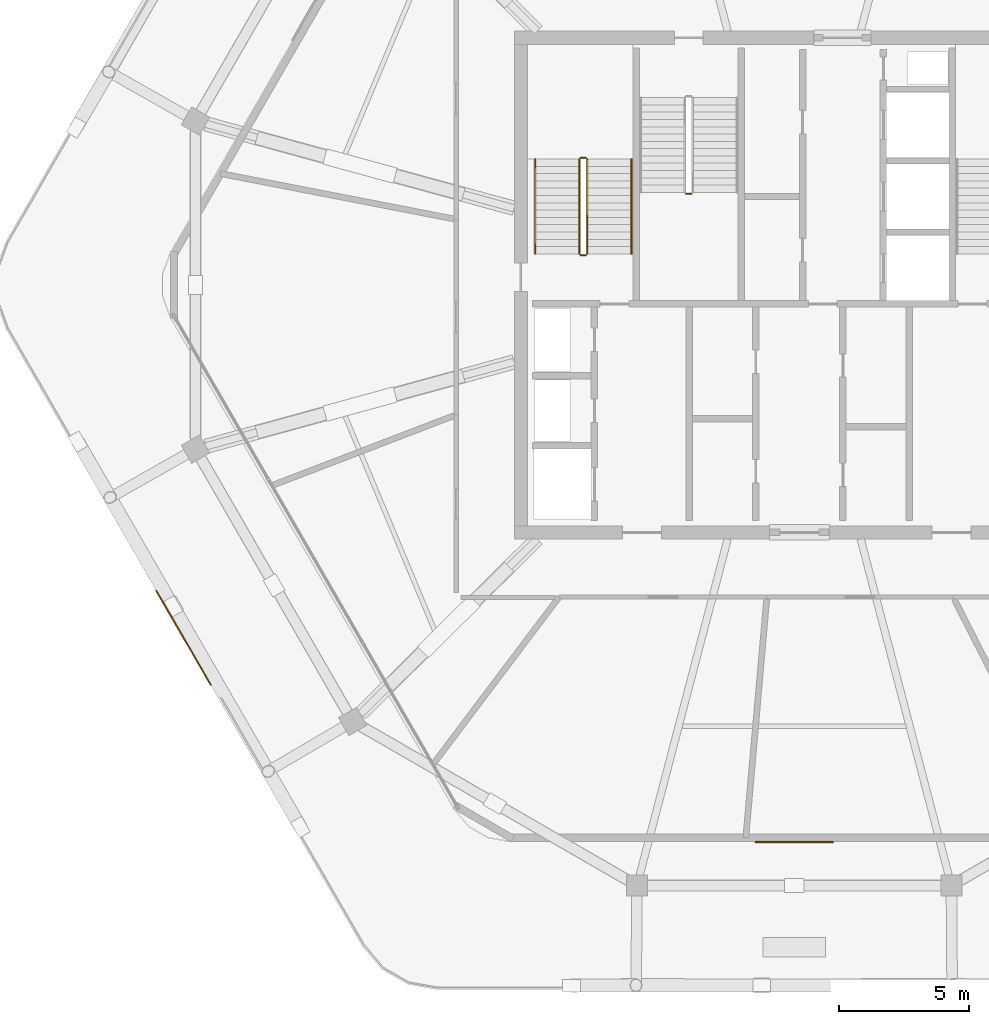
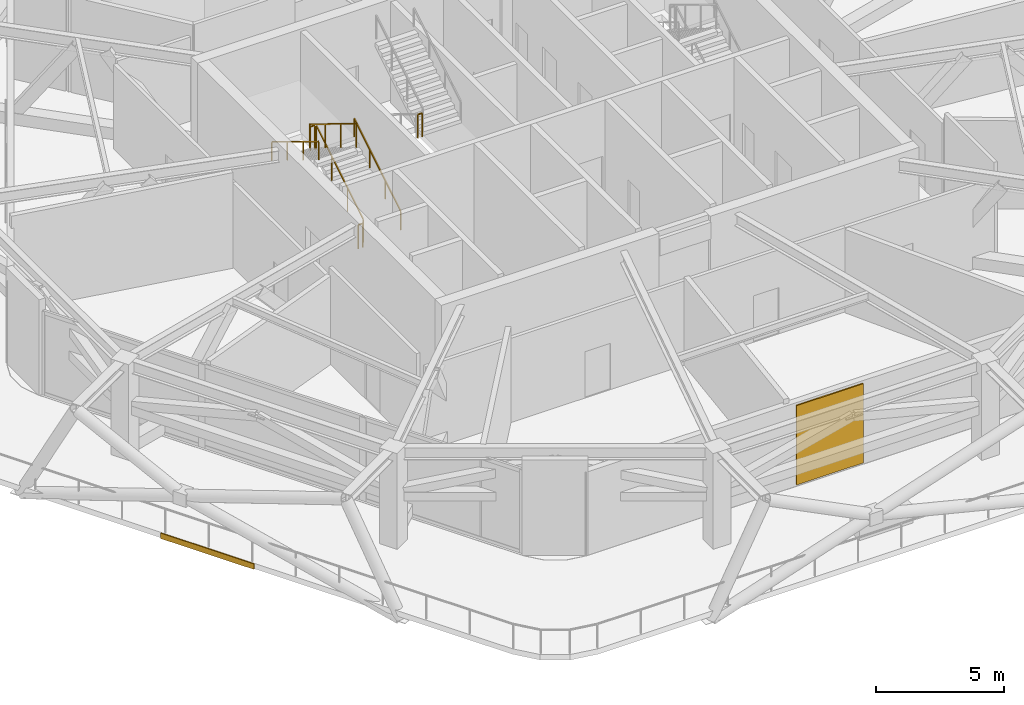
# One storey, part 16 of 19: 7 railings, 1 covering, 1 shading device.
"""IFC4 building model written with IfcOpenShell, lengths in metres."""

from ifc_helpers import new_model, si_unit, direction, frame, origin, origin_2d, place, context, subcontext, project, spatial, rectangle, extrude, material, layer, layer_set, type_object, element, save


model = new_model("IFC4")

# Units and contexts
model_context = context("Model", 3, precision=1e-05, world=origin(), true_north=direction((0.0, 1.0)))
body_context = subcontext(model_context, "Body", "Model", "MODEL_VIEW")
ifc_project = project(units=[si_unit("LENGTHUNIT", "METRE"), si_unit("AREAUNIT", "SQUARE_METRE"), si_unit("VOLUMEUNIT", "CUBIC_METRE"), si_unit("PLANEANGLEUNIT", "RADIAN"), si_unit("MASSUNIT", "GRAM", prefix="KILO")], contexts=[model_context])

# Site, building, storey
site_placement = place(None, origin())
site = spatial("IfcSite", under=ifc_project, at=site_placement, CompositionType="ELEMENT")
building_placement = place(site_placement, origin())
building = spatial("IfcBuilding", under=site, at=building_placement, Name="Zuhravey Tower", CompositionType="ELEMENT")
storey_placement = place(building_placement, frame((0.0, 0.0, 303.39990234375)))
storey = spatial("IfcBuildingStorey", under=building, at=storey_placement, Name="L77", CompositionType="ELEMENT", Elevation=303.39990234375)

# Shading device
ifc_material_1 = material(Name="Bronze-anodised perforated aluminium", Category="aluminium")
ifc_layer_1 = layer(ifc_material_1, 0.06005859375)
ifc_layer_set_1 = layer_set([ifc_layer_1], Name="Bronze-anodised perforated aluminium")
shading_device_type = type_object("IfcShadingDeviceType", Name="Girih Mashrabiya Solar Screen", PredefinedType="USERDEFINED", material=ifc_layer_set_1)
shading_device_placement = place(storey_placement, frame((36.0, 10.60595703125, 0.10009765625), z_axis=(0.0, 0.0, 1.0), x_axis=(-1.0, 0.0, 0.0)))
element("IfcShadingDevice", 1, at=shading_device_placement, inside=storey, type_object=shading_device_type, Name="L77 Face 5 Girih Solar Screen SCR1", ObjectType="SCREEN", PredefinedType="USERDEFINED", context=body_context, shape_type="SweptSolid", body=[
    extrude(rectangle(XDim=3.0, YDim=0.06005859375, at=origin_2d()), origin(), (0.0, 0.0, 1.0), 3.77001953125),
])

# Covering
ifc_material_2 = material(Name="Architectural GRC cladding panel")
ifc_layer_2 = layer(ifc_material_2, 0.048095703125)
ifc_layer_set_2 = layer_set([ifc_layer_2], Name="Architectural GRC cladding panel")
covering_type = type_object("IfcCoveringType", Name="Precast Girih Spandrel Cladding CLD2", PredefinedType="CLADDING", material=ifc_layer_set_2)
covering_placement = place(storey_placement, frame((12.541015625, 18.4560546875, -0.259765625), z_axis=(0.0, 0.0, 1.0), x_axis=(-0.5, 0.866025403784, 0.0)))
element("IfcCovering", 2, at=covering_placement, inside=storey, type_object=covering_type, Name="L77 Face 4 Girih Spandrel Cladding CLD2", PredefinedType="CLADDING", context=body_context, shape_type="SweptSolid", body=[
    extrude(rectangle(XDim=4.199951171875, YDim=0.048095703125, at=origin_2d()), origin(), (0.0, 0.0, 1.0), 0.260009765625),
])

# Railings
ifc_material_3 = material(Name="Brushed stainless steel", Category="steel")
railing_type_1 = type_object("IfcRailingType", Name="Stair Wall Handrail 900", PredefinedType="HANDRAIL", material=ifc_material_3)
railing_1_placement = place(storey_placement, frame((29.75, 33.199951171875, 0.171630859375)))
element("IfcRailing", 3, at=railing_1_placement, inside=storey, type_object=railing_type_1, Name="L77 ST1 stair handrail 1", PredefinedType="HANDRAIL", context=body_context, shape_type="SweptSolid", body=[
    extrude(rectangle(XDim=0.048095703125, YDim=0.048095703125, at=origin_2d()), frame((0.0, 0.001708984375, 0.876953125), z_axis=(0.0, 0.852865859571, 0.52213008492), x_axis=(-1.0, 0.0, 0.0)), (0.0, 0.0, 1.0), 4.26416015625),
    extrude(rectangle(XDim=0.0419921875, YDim=0.0419921875, at=origin_2d()), origin(), (0.0, 0.0, 1.0), 0.849853515625),
    extrude(rectangle(XDim=0.0419921875, YDim=0.0419921875, at=origin_2d()), frame((0.0, 1.21337890625, 0.742919921875)), (0.0, 0.0, 1.0), 0.849853515625),
    extrude(rectangle(XDim=0.0419921875, YDim=0.0419921875, at=origin_2d()), frame((0.0, 2.4267578125, 1.485595703125)), (0.0, 0.0, 1.0), 0.849853515625),
    extrude(rectangle(XDim=0.0419921875, YDim=0.0419921875, at=origin_2d()), frame((0.0, 3.64013671875, 2.228515625)), (0.0, 0.0, 1.0), 0.849853515625),
])
railing_2_placement = place(storey_placement, frame((26.050048828125, 36.840087890625, 2.571533203125)))
element("IfcRailing", 4, at=railing_2_placement, inside=storey, type_object=railing_type_1, Name="L77 ST1 stair handrail 2", PredefinedType="HANDRAIL", context=body_context, shape_type="SweptSolid", body=[
    extrude(rectangle(XDim=0.048095703125, YDim=0.048095703125, at=origin_2d()), frame((0.0, -0.001708984375, 0.876953125), z_axis=(0.0, -0.852865859571, 0.52213008492), x_axis=(1.0, 0.0, 0.0)), (0.0, 0.0, 1.0), 4.26416015625),
    extrude(rectangle(XDim=0.0419921875, YDim=0.0419921875, at=origin_2d()), origin(), (0.0, 0.0, 1.0), 0.849853515625),
    extrude(rectangle(XDim=0.0419921875, YDim=0.0419921875, at=origin_2d()), frame((0.0, -1.21337890625, 0.742919921875)), (0.0, 0.0, 1.0), 0.849853515625),
    extrude(rectangle(XDim=0.0419921875, YDim=0.0419921875, at=origin_2d()), frame((0.0, -2.4267578125, 1.485595703125)), (0.0, 0.0, 1.0), 0.849853515625),
    extrude(rectangle(XDim=0.0419921875, YDim=0.0419921875, at=origin_2d()), frame((0.0, -3.64013671875, 2.228515625)), (0.0, 0.0, 1.0), 0.849853515625),
])
ifc_material_4 = material(Name="Painted tubular steel", Category="steel")
railing_type_2 = type_object("IfcRailingType", Name="Stair Well Guardrail 1150", PredefinedType="GUARDRAIL", material=ifc_material_4)
railing_3_placement = place(storey_placement, frame((28.050048828125, 33.199951171875, 0.171630859375)))
element("IfcRailing", 5, at=railing_3_placement, inside=storey, type_object=railing_type_2, Name="L77 ST1 stair guard 1", PredefinedType="GUARDRAIL", context=body_context, shape_type="SweptSolid", body=[
    extrude(rectangle(XDim=0.048095703125, YDim=0.048095703125, at=origin_2d()), frame((0.0, 0.001708984375, 1.126953125), z_axis=(0.0, 0.852865859571, 0.52213008492), x_axis=(-1.0, 0.0, 0.0)), (0.0, 0.0, 1.0), 4.26416015625),
    extrude(rectangle(XDim=0.0419921875, YDim=0.0419921875, at=origin_2d()), origin(), (0.0, 0.0, 1.0), 1.099853515625),
    extrude(rectangle(XDim=0.0419921875, YDim=0.0419921875, at=origin_2d()), frame((0.0, 1.21337890625, 0.742919921875)), (0.0, 0.0, 1.0), 1.099853515625),
    extrude(rectangle(XDim=0.0419921875, YDim=0.0419921875, at=origin_2d()), frame((0.0, 2.4267578125, 1.485595703125)), (0.0, 0.0, 1.0), 1.099853515625),
    extrude(rectangle(XDim=0.0419921875, YDim=0.0419921875, at=origin_2d()), frame((0.0, 3.64013671875, 2.228515625)), (0.0, 0.0, 1.0), 1.099853515625),
])
railing_4_placement = place(storey_placement, frame((28.0, 36.889892578125, 2.400146484375)))
element("IfcRailing", 6, at=railing_4_placement, inside=storey, type_object=railing_type_2, Name="L77 ST1 stair guard 2", PredefinedType="GUARDRAIL", context=body_context, shape_type="SweptSolid", body=[
    extrude(rectangle(XDim=0.048095703125, YDim=0.048095703125, at=origin_2d()), frame((-0.001953125, 0.0, 1.1259765625), z_axis=(-1.0, 0.0, 0.0), x_axis=(0.0, -1.0, 0.0)), (0.0, 0.0, 1.0), 0.196044921875),
    extrude(rectangle(XDim=0.0419921875, YDim=0.0419921875, at=origin_2d()), origin(), (0.0, 0.0, 1.0), 1.099853515625),
    extrude(rectangle(XDim=0.0419921875, YDim=0.0419921875, at=origin_2d()), frame((-0.199951171875, 0.0, 0.0)), (0.0, 0.0, 1.0), 1.099853515625),
])
railing_5_placement = place(storey_placement, frame((27.75, 36.840087890625, 2.571533203125)))
element("IfcRailing", 7, at=railing_5_placement, inside=storey, type_object=railing_type_2, Name="L77 ST1 stair guard 3", PredefinedType="GUARDRAIL", context=body_context, shape_type="SweptSolid", body=[
    extrude(rectangle(XDim=0.048095703125, YDim=0.048095703125, at=origin_2d()), frame((0.0, -0.001708984375, 1.126953125), z_axis=(0.0, -0.852865859571, 0.52213008492), x_axis=(1.0, 0.0, 0.0)), (0.0, 0.0, 1.0), 4.26416015625),
    extrude(rectangle(XDim=0.0419921875, YDim=0.0419921875, at=origin_2d()), origin(), (0.0, 0.0, 1.0), 1.099853515625),
    extrude(rectangle(XDim=0.0419921875, YDim=0.0419921875, at=origin_2d()), frame((0.0, -1.21337890625, 0.742919921875)), (0.0, 0.0, 1.0), 1.099853515625),
    extrude(rectangle(XDim=0.0419921875, YDim=0.0419921875, at=origin_2d()), frame((0.0, -2.4267578125, 1.485595703125)), (0.0, 0.0, 1.0), 1.099853515625),
    extrude(rectangle(XDim=0.0419921875, YDim=0.0419921875, at=origin_2d()), frame((0.0, -3.64013671875, 2.228515625)), (0.0, 0.0, 1.0), 1.099853515625),
])
railing_6_placement = place(storey_placement, frame((28.0, 33.14990234375, 0.0)))
element("IfcRailing", 8, at=railing_6_placement, inside=storey, type_object=railing_type_2, Name="L77 ST1 stair guard 4", PredefinedType="GUARDRAIL", context=body_context, shape_type="SweptSolid", body=[
    extrude(rectangle(XDim=0.048095703125, YDim=0.048095703125, at=origin_2d()), frame((-0.001953125, 0.0, 1.1259765625), z_axis=(-1.0, 0.0, 0.0), x_axis=(0.0, -1.0, 0.0)), (0.0, 0.0, 1.0), 0.196044921875),
    extrude(rectangle(XDim=0.0419921875, YDim=0.0419921875, at=origin_2d()), origin(), (0.0, 0.0, 1.0), 1.099853515625),
    extrude(rectangle(XDim=0.0419921875, YDim=0.0419921875, at=origin_2d()), frame((-0.199951171875, 0.0, 0.0)), (0.0, 0.0, 1.0), 1.099853515625),
])
railing_7_placement = place(storey_placement, frame((31.85009765625, 35.510009765625, 2.400146484375)))
element("IfcRailing", 9, at=railing_7_placement, inside=storey, type_object=railing_type_2, Name="L77 ST3 stair guard 2", PredefinedType="GUARDRAIL", context=body_context, shape_type="SweptSolid", body=[
    extrude(rectangle(XDim=0.048095703125, YDim=0.048095703125, at=origin_2d()), frame((0.001953125, 0.0, 1.1259765625), z_axis=(1.0, 0.0, 0.0), x_axis=(0.0, 1.0, 0.0)), (0.0, 0.0, 1.0), 0.196044921875),
    extrude(rectangle(XDim=0.0419921875, YDim=0.0419921875, at=origin_2d()), origin(), (0.0, 0.0, 1.0), 1.099853515625),
    extrude(rectangle(XDim=0.0419921875, YDim=0.0419921875, at=origin_2d()), frame((0.199951171875, 0.0, 0.0)), (0.0, 0.0, 1.0), 1.099853515625),
])

save(model, "model.ifc")
